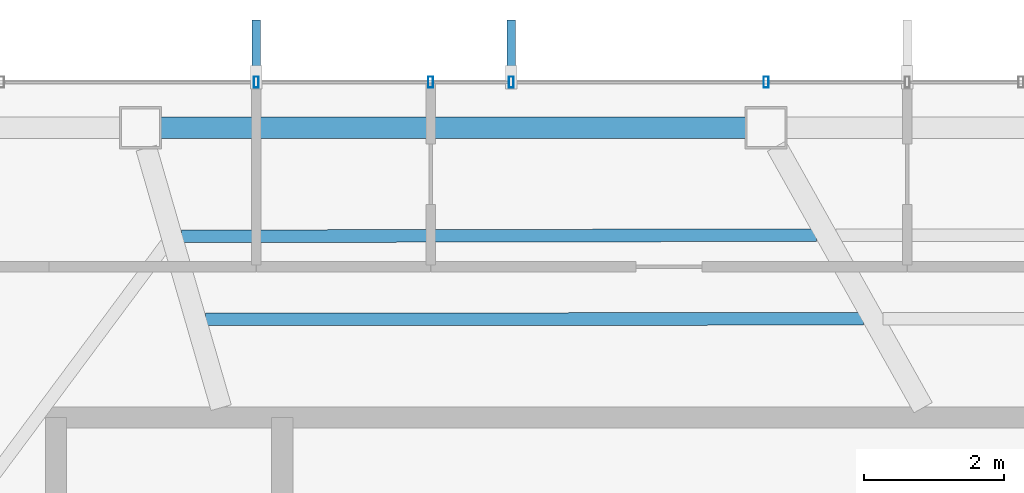
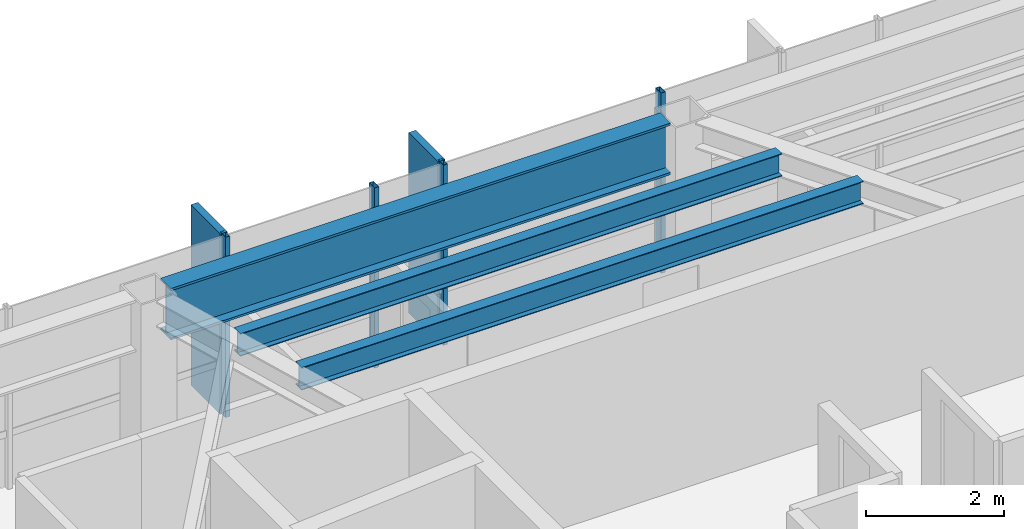
# One storey, part 14 of 27: 6 members, 3 beams, 1 element without a shape of its own.
"""IFC4 building model written with IfcOpenShell, lengths in metres."""

from ifc_helpers import new_model, si_unit, direction, frame, origin, origin_2d, place, context, subcontext, project, spatial, rectangle, hollow_rectangle, i_section, extrude, material, layer, layer_set, material_profile, profile_set, type_object, element, aggregate, save


model = new_model("IFC4")

# Units and contexts
model_context = context("Model", 3, precision=1e-05, world=origin(), true_north=direction((0.0, 1.0)))
body_context = subcontext(model_context, "Body", "Model", "MODEL_VIEW")
ifc_project = project(units=[si_unit("LENGTHUNIT", "METRE"), si_unit("AREAUNIT", "SQUARE_METRE"), si_unit("VOLUMEUNIT", "CUBIC_METRE"), si_unit("PLANEANGLEUNIT", "RADIAN"), si_unit("MASSUNIT", "GRAM", prefix="KILO")], contexts=[model_context])

# Site, building, storey
site_placement = place(None, origin())
site = spatial("IfcSite", under=ifc_project, at=site_placement, CompositionType="ELEMENT")
building_placement = place(site_placement, origin())
building = spatial("IfcBuilding", under=site, at=building_placement, Name="Zarrinselat Tower", CompositionType="ELEMENT")
storey_placement = place(building_placement, frame((0.0, 0.0, 229.159912109375)))
storey = spatial("IfcBuildingStorey", under=building, at=storey_placement, Name="L57", CompositionType="ELEMENT", Elevation=229.159912109375)

# Beams
ifc_material_1 = material(Name="Steel S460M", Category="steel")
ifc_material_profile_1 = material_profile(ifc_material_1, i_section(OverallWidth=0.302001953125, OverallDepth=0.909912109375, WebThickness=0.02099609375, FlangeThickness=0.0400390625, at=origin_2d()), Name="HEM 900")
ifc_profile_set_1 = profile_set([ifc_material_profile_1], Name="Steel S460M")
beam_type_1 = type_object("IfcBeamType", Name="BM-HEM900", PredefinedType="BEAM", material=ifc_profile_set_1)
beam_1_placement = place(storey_placement, frame((30.136962890625, 47.52783203125, 2.72509765625), z_axis=(1.0, 0.0, 0.0), x_axis=(0.0, 1.0, 0.0)))
element("IfcBeam", 1, at=beam_1_placement, inside=storey, type_object=beam_type_1, Name="L57 Perimeter Spandrel Girder SP03", PredefinedType="BEAM", context=body_context, shape_type="SweptSolid", body=[
    extrude(i_section(OverallWidth=0.302001953125, OverallDepth=0.909912109375, WebThickness=0.02099609375, FlangeThickness=0.0400390625, at=origin_2d()), origin(), (0.0, 0.0, 1.0), 8.33837890625),
])
ifc_material_2 = material(Name="Steel S355J2", Category="steel")
ifc_material_profile_2 = material_profile(ifc_material_2, i_section(OverallWidth=0.179931640625, OverallDepth=0.39990234375, WebThickness=0.008544921875, FlangeThickness=0.013427734375, at=origin_2d()), Name="IPE 400")
ifc_profile_set_2 = profile_set([ifc_material_profile_2], Name="Steel S355J2")
beam_type_2 = type_object("IfcBeamType", Name="BM-IPE400", PredefinedType="JOIST", material=ifc_profile_set_2)
beam_2_placement = place(storey_placement, frame((30.435546875, 45.980712890625, 2.97998046875), z_axis=(0.999998215301, 0.001889284367, 0.0), x_axis=(-0.001889284367, 0.999998215301, 0.0)))
element("IfcBeam", 2, at=beam_2_placement, inside=storey, type_object=beam_type_2, Name="L57 Composite Floor Joist 8-1", PredefinedType="JOIST", context=body_context, shape_type="SweptSolid", body=[
    extrude(i_section(OverallWidth=0.179931640625, OverallDepth=0.39990234375, WebThickness=0.008544921875, FlangeThickness=0.013427734375, at=origin_2d()), origin(), (0.0, 0.0, 1.0), 9.045654296875),
])
beam_3_placement = place(storey_placement, frame((30.777099609375, 44.79736328125, 2.97998046875), z_axis=(0.999999560341, 0.000937719366, 0.0), x_axis=(-0.000937719366, 0.999999560341, 0.0)))
element("IfcBeam", 3, at=beam_3_placement, inside=storey, type_object=beam_type_2, Name="L57 Composite Floor Joist 8-2", PredefinedType="JOIST", context=body_context, shape_type="SweptSolid", body=[
    extrude(i_section(OverallWidth=0.179931640625, OverallDepth=0.39990234375, WebThickness=0.008544921875, FlangeThickness=0.013427734375, at=origin_2d()), origin(), (0.0, 0.0, 1.0), 9.372802734375),
])

# Curtain wall, members
ifc_material_3 = material(Name="Extruded Aluminium Alloy EN AW-6063 T6", Category="aluminium")
ifc_layer = layer(ifc_material_3, 0.169921875)
ifc_layer_set = layer_set([ifc_layer], Name="Extruded Aluminium Alloy EN AW-6063 T6")
curtain_wall_type = type_object("IfcCurtainWallType", Name="CWS-RES", PredefinedType="NOTDEFINED", material=ifc_layer_set)
curtain_wall_placement = place(storey_placement, origin())
curtain_wall = element("IfcCurtainWall", 4, at=curtain_wall_placement, inside=storey, type_object=curtain_wall_type, Name="L57 Unitised Curtain Wall CW-L57-E01", PredefinedType="NOTDEFINED")
ifc_material_4 = material(Name="Extruded Aluminium Alloy EN AW-6063 T6", Category="aluminium")
ifc_material_profile_3 = material_profile(ifc_material_4, hollow_rectangle(XDim=0.070068359375, YDim=0.159912109375, WallThickness=0.00390625, at=origin_2d()), Name="RHS 160x70x4")
ifc_profile_set_3 = profile_set([ifc_material_profile_3], Name="Extruded Aluminium Alloy EN AW-6063 T6")
member_type_1 = type_object("IfcMemberType", Name="MEM-CW-MUL2", PredefinedType="MULLION", material=ifc_profile_set_3)
member_1_placement = place(storey_placement, frame((38.763427734375, 48.177734375, 0.0), z_axis=(0.0, 0.0, 1.0), x_axis=(-1.0, 0.0, 0.0)))
member_1 = element("IfcMember", 5, at=member_1_placement, type_object=member_type_1, Name="CW-L57-E01 Mullion 6", PredefinedType="MULLION", context=body_context, shape_type="SweptSolid", body=[
    extrude(hollow_rectangle(XDim=0.070068359375, YDim=0.159912109375, WallThickness=0.00390625, at=origin_2d()), origin(), (0.0, 0.0, 1.0), 3.18017578125),
])
member_2_placement = place(storey_placement, frame((35.133056640625, 48.177734375, 0.0), z_axis=(0.0, 0.0, 1.0), x_axis=(-1.0, 0.0, 0.0)))
member_2 = element("IfcMember", 6, at=member_2_placement, type_object=member_type_1, Name="CW-L57-E01 Mullion 7", PredefinedType="MULLION", context=body_context, shape_type="SweptSolid", body=[
    extrude(hollow_rectangle(XDim=0.070068359375, YDim=0.159912109375, WallThickness=0.00390625, at=origin_2d()), origin(), (0.0, 0.0, 1.0), 3.18017578125),
])
member_3_placement = place(storey_placement, frame((33.98388671875, 48.177734375, 0.0), z_axis=(0.0, 0.0, 1.0), x_axis=(-1.0, 0.0, 0.0)))
member_3 = element("IfcMember", 7, at=member_3_placement, type_object=member_type_1, Name="CW-L57-E01 Mullion 8", PredefinedType="MULLION", context=body_context, shape_type="SweptSolid", body=[
    extrude(hollow_rectangle(XDim=0.070068359375, YDim=0.159912109375, WallThickness=0.00390625, at=origin_2d()), origin(), (0.0, 0.0, 1.0), 3.18017578125),
])
member_4_placement = place(storey_placement, frame((31.5, 48.177734375, 0.0), z_axis=(0.0, 0.0, 1.0), x_axis=(-1.0, 0.0, 0.0)))
member_4 = element("IfcMember", 8, at=member_4_placement, type_object=member_type_1, Name="CW-L57-E01 Mullion 9", PredefinedType="MULLION", context=body_context, shape_type="SweptSolid", body=[
    extrude(hollow_rectangle(XDim=0.070068359375, YDim=0.159912109375, WallThickness=0.00390625, at=origin_2d()), origin(), (0.0, 0.0, 1.0), 3.18017578125),
])
ifc_material_5 = material(Name="Honed Cream Travertine Stone", Category="masonry")
ifc_material_profile_4 = material_profile(ifc_material_5, rectangle(XDim=0.1201171875, YDim=0.85009765625, at=origin_2d()), Name="FIN 850x120")
ifc_profile_set_4 = profile_set([ifc_material_profile_4], Name="Honed Cream Travertine Stone")
member_type_2 = type_object("IfcMemberType", Name="MEM-STONE-FIN", PredefinedType="USERDEFINED", material=ifc_profile_set_4)
member_5_placement = place(storey_placement, frame((35.133056640625, 48.6376953125, 0.0), z_axis=(0.0, 0.0, 1.0), x_axis=(1.0, 0.0, 0.0)))
member_5 = element("IfcMember", 9, at=member_5_placement, type_object=member_type_2, Name="L57 Stone Shading Fin CW-L57-E01-07", ObjectType="FIN", PredefinedType="USERDEFINED", context=body_context, shape_type="SweptSolid", body=[
    extrude(rectangle(XDim=0.1201171875, YDim=0.85009765625, at=origin_2d()), origin(), (0.0, 0.0, 1.0), 3.18017578125),
])
member_6_placement = place(storey_placement, frame((31.5, 48.6376953125, 0.0), z_axis=(0.0, 0.0, 1.0), x_axis=(1.0, 0.0, 0.0)))
member_6 = element("IfcMember", 10, at=member_6_placement, type_object=member_type_2, Name="L57 Stone Shading Fin CW-L57-E01-09", ObjectType="FIN", PredefinedType="USERDEFINED", context=body_context, shape_type="SweptSolid", body=[
    extrude(rectangle(XDim=0.1201171875, YDim=0.85009765625, at=origin_2d()), origin(), (0.0, 0.0, 1.0), 3.18017578125),
])
aggregate(curtain_wall, [member_1, member_2, member_5, member_3, member_4, member_6])

save(model, "model.ifc")
